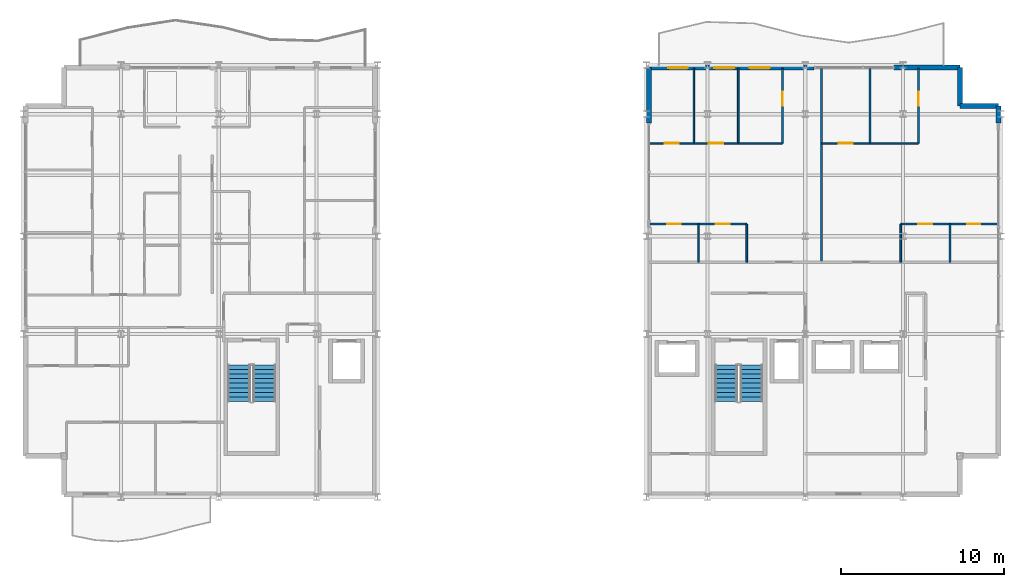
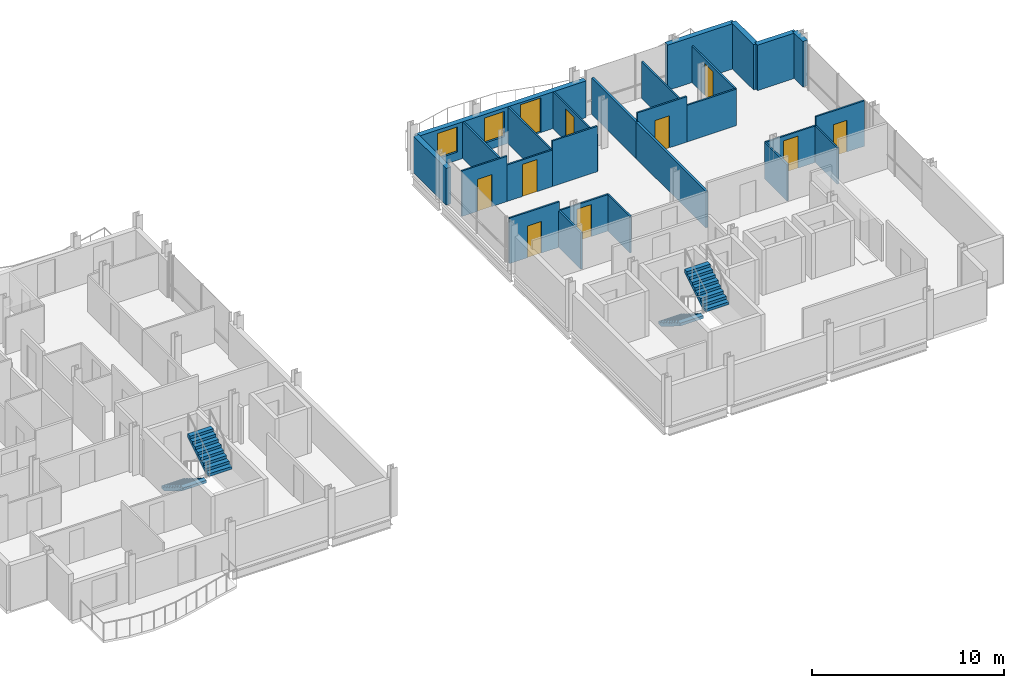
# One storey, part 25 of 27: 26 walls, 10 doors, 4 stair flights, 2 windows, 12 openings, 2 elements without a shape of their own.
"""IFC4 building model written with IfcOpenShell, lengths in metres."""

from ifc_helpers import new_model, si_unit, direction, frame, frame_2d, origin, place, context, subcontext, project, spatial, polyline, rectangle, outline, extrude, material, layer, layer_set, type_object, element, fill, aggregate, save


model = new_model("IFC4")

# Units and contexts
model_context = context("Model", 3, precision=1e-05, world=origin(), true_north=direction((0.0, 1.0)))
body_context = subcontext(model_context, "Body", "Model", "MODEL_VIEW")
ifc_project = project(units=[si_unit("LENGTHUNIT", "METRE"), si_unit("AREAUNIT", "SQUARE_METRE"), si_unit("VOLUMEUNIT", "CUBIC_METRE"), si_unit("PLANEANGLEUNIT", "RADIAN"), si_unit("MASSUNIT", "GRAM", prefix="KILO")], contexts=[model_context])

# Site, building, storey
site_placement = place(None, origin())
site = spatial("IfcSite", under=ifc_project, at=site_placement, CompositionType="ELEMENT")
building_placement = place(site_placement, origin())
building = spatial("IfcBuilding", under=site, at=building_placement, Name="Brevholm Reach", CompositionType="ELEMENT")
storey_placement = place(building_placement, frame((0.0, 0.0, 195.60009765625)))
storey = spatial("IfcBuildingStorey", under=building, at=storey_placement, Name="L59", CompositionType="ELEMENT", Elevation=195.60009765625)

# Walls
ifc_material_1 = material(Name="Concrete C40/50", Category="concrete")
ifc_layer_1 = layer(ifc_material_1, 0.300048828125)
ifc_layer_set_1 = layer_set([ifc_layer_1], Name="Concrete C40/50")
wall_type_1 = type_object("IfcWallType", Name="WAL-EXT-300", PredefinedType="STANDARD", material=ifc_layer_set_1)
for number, where, z_axis, x_axis, name in (
    (1, (59.85009765625, 24.0, 0.0), (0.0, 0.0, 1.0), (-1.0, 0.0, 0.0), "L59 Facade Wall WAL-L59-EW-CNE1"),
    (2, (57.5, 24.0, 0.0), (0.0, 0.0, 1.0), (0.0, 1.0, 0.0), "L59 Facade Wall WAL-L59-EW-CNE2"),
):
    element("IfcWall", number, at=place(storey_placement, frame(where, z_axis=z_axis, x_axis=x_axis)), inside=storey, type_object=wall_type_1, Name=name, PredefinedType="STANDARD", context=body_context, shape_type="SweptSolid", body=[
        extrude(rectangle(XDim=2.35009765625, YDim=0.300048828125, at=frame_2d((1.175048828125, 0.0))), origin(), (0.0, 0.0, 1.0), 2.889892578125),
    ])
wall_1_placement = place(storey_placement, frame((38.39990234375, 26.35009765625, 0.0), z_axis=(0.0, 0.0, 1.0), x_axis=(0.0, -1.0, 0.0)))
element("IfcWall", 3, at=wall_1_placement, inside=storey, type_object=wall_type_1, Name="L59 Facade Wall WAL-L59-VP-EN", PredefinedType="STANDARD", context=body_context, shape_type="SweptSolid", body=[
    extrude(rectangle(XDim=3.400146484375, YDim=0.300048828125, at=frame_2d((1.7001953125, 0.0))), origin(), (0.0, 0.0, 1.0), 2.331787109375),
])
wall_2_placement = place(storey_placement, frame((59.85009765625, 22.949951171875, 0.0), z_axis=(0.0, 0.0, 1.0), x_axis=(0.0, 1.0, 0.0)))
element("IfcWall", 4, at=wall_2_placement, inside=storey, type_object=wall_type_1, Name="L59 Facade Wall WAL-L59-EW-EN", PredefinedType="STANDARD", context=body_context, shape_type="SweptSolid", body=[
    extrude(rectangle(XDim=1.050048828125, YDim=0.300048828125, at=frame_2d((0.52490234375, 0.0))), origin(), (0.0, 0.0, 1.0), 2.889892578125),
])

# Wall, openings, door, windows
wall_3_placement = place(storey_placement, frame((38.39990234375, 26.35009765625, 0.0), z_axis=(0.0, 0.0, 1.0), x_axis=(1.0, 0.0, 0.0)))
wall_3 = element("IfcWall", 5, at=wall_3_placement, inside=storey, type_object=wall_type_1, Name="L59 Facade Wall WAL-L59-EW-NP1", PredefinedType="STANDARD", context=body_context, shape_type="SweptSolid", body=[
    extrude(rectangle(XDim=10.150146484375, YDim=0.300048828125, at=frame_2d((5.0751953125, 0.0))), origin(), (0.0, 0.0, 1.0), 2.331787109375),
])
opening_1_placement = place(wall_3_placement, frame((6.18408203125, 0.0, 0.0)))
opening_1 = element("IfcOpeningElement", 6, at=opening_1_placement, cuts=wall_3, Name="Opening BD-02", PredefinedType="OPENING", context=body_context, shape_type="SweptSolid", body=[
    extrude(rectangle(XDim=1.25, YDim=2.199951171875, at=frame_2d((0.625, 1.10009765625))), frame((0.0, 0.159912109375, 0.0), z_axis=(0.0, -1.0, 0.0), x_axis=(1.0, 0.0, 0.0)), (0.0, 0.0, 1.0), 0.320068359375),
])
opening_2_placement = place(wall_3_placement, frame((1.199951171875, 0.0, 0.511962890625)))
opening_2 = element("IfcOpeningElement", 7, at=opening_2_placement, cuts=wall_3, Name="Opening WN-08", PredefinedType="OPENING", context=body_context, shape_type="SweptSolid", body=[
    extrude(rectangle(XDim=1.199951171875, YDim=1.60009765625, at=frame_2d((0.60009765625, 0.800048828125))), frame((0.0, 0.159912109375, 0.0), z_axis=(0.0, -1.0, 0.0), x_axis=(1.0, 0.0, 0.0)), (0.0, 0.0, 1.0), 0.320068359375),
])
opening_3_placement = place(wall_3_placement, frame((4.02685546875, 0.0, 0.511962890625)))
opening_3 = element("IfcOpeningElement", 8, at=opening_3_placement, cuts=wall_3, Name="Opening WN-08", PredefinedType="OPENING", context=body_context, shape_type="SweptSolid", body=[
    extrude(rectangle(XDim=1.199951171875, YDim=1.60009765625, at=frame_2d((0.60009765625, 0.800048828125))), frame((0.0, 0.159912109375, 0.0), z_axis=(0.0, -1.0, 0.0), x_axis=(1.0, 0.0, 0.0)), (0.0, 0.0, 1.0), 0.320068359375),
])
ifc_material_2 = material(Name="Dark Anodised Aluminium and Triple-Glazed Glass", Category="aluminium")
door_type_1 = type_object("IfcDoorType", Name="DOR-BALC-1250", OperationType="NOTDEFINED", PredefinedType="DOOR", material=ifc_material_2)
door_1_placement = place(opening_1_placement, origin())
door_1 = element("IfcDoor", 9, at=door_1_placement, inside=storey, type_object=door_type_1, Name="L59 Exterior Door DOR-L59-BL-NE", OperationType="SINGLE_SWING_RIGHT", OverallHeight=2.199951171875, OverallWidth=1.25, PredefinedType="DOOR", context=body_context, shape_type="SweptSolid", body=[
    extrude(rectangle(XDim=1.25, YDim=2.199951171875, at=frame_2d((0.625, 1.10009765625))), frame((0.0, 0.02490234375, 0.0), z_axis=(0.0, -1.0, 0.0), x_axis=(1.0, 0.0, 0.0)), (0.0, 0.0, 1.0), 0.050048828125),
])
fill(opening_1, door_1)
ifc_material_3 = material(Name="Dark Anodised Aluminium and Solar-Control IGU Glass", Category="aluminium")
window_type = type_object("IfcWindowType", Name="WIN-RES-1200", PartitioningType="SINGLE_PANEL", PredefinedType="WINDOW", material=ifc_material_3)
window_1_placement = place(opening_2_placement, origin())
window_1 = element("IfcWindow", 10, at=window_1_placement, inside=storey, type_object=window_type, Name="L59 Window WIN-L59-EW-NP1", OverallHeight=1.60009765625, OverallWidth=1.199951171875, PartitioningType="SINGLE_PANEL", PredefinedType="WINDOW", context=body_context, shape_type="SweptSolid", body=[
    extrude(rectangle(XDim=1.199951171875, YDim=1.60009765625, at=frame_2d((0.60009765625, 0.800048828125))), frame((0.0, 0.030029296875, 0.0), z_axis=(0.0, -1.0, 0.0), x_axis=(1.0, 0.0, 0.0)), (0.0, 0.0, 1.0), 0.06005859375),
])
fill(opening_2, window_1)
window_2_placement = place(opening_3_placement, origin())
window_2 = element("IfcWindow", 11, at=window_2_placement, inside=storey, type_object=window_type, Name="L59 Bedroom Window 060", OverallHeight=1.60009765625, OverallWidth=1.199951171875, PartitioningType="SINGLE_PANEL", PredefinedType="WINDOW", context=body_context, shape_type="SweptSolid", body=[
    extrude(rectangle(XDim=1.199951171875, YDim=1.60009765625, at=frame_2d((0.60009765625, 0.800048828125))), frame((0.0, 0.030029296875, 0.0), z_axis=(0.0, -1.0, 0.0), x_axis=(1.0, 0.0, 0.0)), (0.0, 0.0, 1.0), 0.06005859375),
])
fill(opening_3, window_2)

# Walls
wall_4_placement = place(storey_placement, frame((53.449951171875, 26.35009765625, 0.0), z_axis=(0.0, 0.0, 1.0), x_axis=(1.0, 0.0, 0.0)))
element("IfcWall", 12, at=wall_4_placement, inside=storey, type_object=wall_type_1, Name="L59 Facade Wall WAL-L59-EW-NP2", PredefinedType="STANDARD", context=body_context, shape_type="SweptSolid", body=[
    extrude(rectangle(XDim=4.050048828125, YDim=0.300048828125, at=frame_2d((2.02490234375, 0.0))), origin(), (0.0, 0.0, 1.0), 2.889892578125),
])
ifc_material_4 = material(Name="Moisture-Resistant Acoustic Gypsum Stud Partition 100 mm", Category="gypsum")
ifc_layer_2 = layer(ifc_material_4, 0.10009765625)
ifc_layer_set_2 = layer_set([ifc_layer_2], Name="Moisture-Resistant Acoustic Gypsum Stud Partition 100 mm")
wall_type_2 = type_object("IfcWallType", Name="WAL-PRT-100", PredefinedType="PARTITIONING", material=ifc_layer_set_2)
wall_5_placement = place(storey_placement, frame((41.4580078125, 14.404052734375, 0.0), z_axis=(0.0, 0.0, 1.0), x_axis=(0.0, 1.0, 0.0)))
element("IfcWall", 13, at=wall_5_placement, inside=storey, type_object=wall_type_2, Name="L59 Internal Partition 066", PredefinedType="PARTITIONING", context=body_context, shape_type="SweptSolid", body=[
    extrude(rectangle(XDim=2.345947265625, YDim=0.10009765625, at=frame_2d((1.1728515625, 0.0))), origin(), (0.0, 0.0, 1.0), 2.325439453125),
])

# Wall, opening, door
wall_6_placement = place(storey_placement, frame((38.449951171875, 16.75, 0.0), z_axis=(0.0, 0.0, 1.0), x_axis=(1.0, 0.0, 0.0)))
wall_6 = element("IfcWall", 14, at=wall_6_placement, inside=storey, type_object=wall_type_2, Name="L59 Internal Partition 067", PredefinedType="PARTITIONING", context=body_context, shape_type="SweptSolid", body=[
    extrude(rectangle(XDim=3.008056640625, YDim=0.10009765625, at=frame_2d((1.50390625, 0.0))), origin(), (0.0, 0.0, 1.0), 2.889892578125),
])
opening_4_placement = place(wall_6_placement, frame((1.093994140625, 0.0, 0.0)))
opening_4 = element("IfcOpeningElement", 15, at=opening_4_placement, cuts=wall_6, Name="Opening ID-03", PredefinedType="OPENING", context=body_context, shape_type="SweptSolid", body=[
    extrude(rectangle(XDim=0.820068359375, YDim=2.02001953125, at=frame_2d((0.41015625, 1.010009765625))), frame((0.0, 0.06005859375, 0.0), z_axis=(0.0, -1.0, 0.0), x_axis=(1.0, 0.0, 0.0)), (0.0, 0.0, 1.0), 0.1201171875),
])
ifc_material_5 = material(Name="Moisture-Resistant Painted Timber Internal Bathroom Door", Category="wood")
door_type_2 = type_object("IfcDoorType", Name="DOR-BATH-820", OperationType="NOTDEFINED", PredefinedType="DOOR", material=ifc_material_5)
door_2_placement = place(opening_4_placement, origin())
door_2 = element("IfcDoor", 16, at=door_2_placement, inside=storey, type_object=door_type_2, Name="L59 Internal Door 029", OperationType="SINGLE_SWING_LEFT", OverallHeight=2.02001953125, OverallWidth=0.820068359375, PredefinedType="DOOR", context=body_context, shape_type="SweptSolid", body=[
    extrude(rectangle(XDim=0.820068359375, YDim=2.02001953125, at=frame_2d((0.41015625, 1.010009765625))), frame((0.0, 0.02490234375, 0.0), z_axis=(0.0, -1.0, 0.0), x_axis=(1.0, 0.0, 0.0)), (0.0, 0.0, 1.0), 0.050048828125),
])
fill(opening_4, door_2)

# Wall
wall_7_placement = place(storey_placement, frame((44.412109375, 14.404052734375, 0.0), z_axis=(0.0, 0.0, 1.0), x_axis=(0.0, 1.0, 0.0)))
element("IfcWall", 17, at=wall_7_placement, inside=storey, type_object=wall_type_2, Name="L59 Internal Partition 068", PredefinedType="PARTITIONING", context=body_context, shape_type="SweptSolid", body=[
    extrude(rectangle(XDim=2.345947265625, YDim=0.10009765625, at=frame_2d((1.1728515625, 0.0))), origin(), (0.0, 0.0, 1.0), 2.325439453125),
])

# Wall, opening, door
wall_8_placement = place(storey_placement, frame((41.4619140625, 16.75, 0.0), z_axis=(0.0, 0.0, 1.0), x_axis=(1.0, 0.0, 0.0)))
wall_8 = element("IfcWall", 18, at=wall_8_placement, inside=storey, type_object=wall_type_2, Name="L59 Internal Partition 069", PredefinedType="PARTITIONING", context=body_context, shape_type="SweptSolid", body=[
    extrude(rectangle(XDim=2.9501953125, YDim=0.10009765625, at=frame_2d((1.47509765625, 0.0))), origin(), (0.0, 0.0, 1.0), 2.325439453125),
])
opening_5_placement = place(wall_8_placement, frame((1.034912109375, 0.0, 0.0)))
opening_5 = element("IfcOpeningElement", 19, at=opening_5_placement, cuts=wall_8, Name="Opening ID-01", PredefinedType="OPENING", context=body_context, shape_type="SweptSolid", body=[
    extrude(rectangle(XDim=0.8798828125, YDim=2.0400390625, at=frame_2d((0.43994140625, 1.02001953125))), frame((0.0, 0.06005859375, 0.0), z_axis=(0.0, -1.0, 0.0), x_axis=(1.0, 0.0, 0.0)), (0.0, 0.0, 1.0), 0.1201171875),
])
ifc_material_6 = material(Name="Lacquered Ash Solid-Core Acoustic Internal Door", Category="timber")
door_type_3 = type_object("IfcDoorType", Name="DOR-INT-880", OperationType="NOTDEFINED", PredefinedType="DOOR", material=ifc_material_6)
door_3_placement = place(opening_5_placement, origin())
door_3 = element("IfcDoor", 20, at=door_3_placement, inside=storey, type_object=door_type_3, Name="L59 Internal Door 030", OperationType="SINGLE_SWING_RIGHT", OverallHeight=2.0400390625, OverallWidth=0.8798828125, PredefinedType="DOOR", context=body_context, shape_type="SweptSolid", body=[
    extrude(rectangle(XDim=0.8798828125, YDim=2.0400390625, at=frame_2d((0.43994140625, 1.02001953125))), frame((0.0, 0.02490234375, 0.0), z_axis=(0.0, -1.0, 0.0), x_axis=(1.0, 0.0, 0.0)), (0.0, 0.0, 1.0), 0.050048828125),
])
fill(opening_5, door_3)

# Wall
wall_9_placement = place(storey_placement, frame((41.1669921875, 21.699951171875, 0.0), z_axis=(0.0, 0.0, 1.0), x_axis=(0.0, 1.0, 0.0)))
element("IfcWall", 21, at=wall_9_placement, inside=storey, type_object=wall_type_2, Name="L59 Internal Partition 070", PredefinedType="PARTITIONING", context=body_context, shape_type="SweptSolid", body=[
    extrude(rectangle(XDim=4.60009765625, YDim=0.10009765625, at=frame_2d((2.300048828125, 0.0))), origin(), (0.0, 0.0, 1.0), 2.325439453125),
])

# Wall, opening, door
wall_10_placement = place(storey_placement, frame((38.449951171875, 21.699951171875, 0.0), z_axis=(0.0, 0.0, 1.0), x_axis=(1.0, 0.0, 0.0)))
wall_10 = element("IfcWall", 22, at=wall_10_placement, inside=storey, type_object=wall_type_2, Name="L59 Internal Partition 071", PredefinedType="PARTITIONING", context=body_context, shape_type="SweptSolid", body=[
    extrude(rectangle(XDim=2.717041015625, YDim=0.10009765625, at=frame_2d((1.3583984375, 0.0))), origin(), (0.0, 0.0, 1.0), 2.889892578125),
])
opening_6_placement = place(wall_10_placement, frame((0.91845703125, 0.0, 0.0)))
opening_6 = element("IfcOpeningElement", 23, at=opening_6_placement, cuts=wall_10, Name="Opening ID-01", PredefinedType="OPENING", context=body_context, shape_type="SweptSolid", body=[
    extrude(rectangle(XDim=0.8798828125, YDim=2.0400390625, at=frame_2d((0.43994140625, 1.02001953125))), frame((0.0, 0.06005859375, 0.0), z_axis=(0.0, -1.0, 0.0), x_axis=(1.0, 0.0, 0.0)), (0.0, 0.0, 1.0), 0.1201171875),
])
door_4_placement = place(opening_6_placement, origin())
door_4 = element("IfcDoor", 24, at=door_4_placement, inside=storey, type_object=door_type_3, Name="L59 Internal Door 031", OperationType="SINGLE_SWING_LEFT", OverallHeight=2.0400390625, OverallWidth=0.8798828125, PredefinedType="DOOR", context=body_context, shape_type="SweptSolid", body=[
    extrude(rectangle(XDim=0.8798828125, YDim=2.0400390625, at=frame_2d((0.43994140625, 1.02001953125))), frame((0.0, 0.02490234375, 0.0), z_axis=(0.0, -1.0, 0.0), x_axis=(1.0, 0.0, 0.0)), (0.0, 0.0, 1.0), 0.050048828125),
])
fill(opening_6, door_4)

# Wall
wall_11_placement = place(storey_placement, frame((43.884033203125, 21.699951171875, 0.0), z_axis=(0.0, 0.0, 1.0), x_axis=(0.0, 1.0, 0.0)))
element("IfcWall", 25, at=wall_11_placement, inside=storey, type_object=wall_type_2, Name="L59 Internal Partition 072", PredefinedType="PARTITIONING", context=body_context, shape_type="SweptSolid", body=[
    extrude(rectangle(XDim=4.60009765625, YDim=0.10009765625, at=frame_2d((2.300048828125, 0.0))), origin(), (0.0, 0.0, 1.0), 2.325439453125),
])

# Wall, opening, door
wall_12_placement = place(storey_placement, frame((41.1708984375, 21.699951171875, 0.0), z_axis=(0.0, 0.0, 1.0), x_axis=(1.0, 0.0, 0.0)))
wall_12 = element("IfcWall", 26, at=wall_12_placement, inside=storey, type_object=wall_type_2, Name="L59 Internal Partition 073", PredefinedType="PARTITIONING", context=body_context, shape_type="SweptSolid", body=[
    extrude(rectangle(XDim=2.713134765625, YDim=0.10009765625, at=frame_2d((1.3564453125, 0.0))), origin(), (0.0, 0.0, 1.0), 2.325439453125),
])
opening_7_placement = place(wall_12_placement, frame((0.91650390625, 0.0, 0.0)))
opening_7 = element("IfcOpeningElement", 27, at=opening_7_placement, cuts=wall_12, Name="Opening ID-01", PredefinedType="OPENING", context=body_context, shape_type="SweptSolid", body=[
    extrude(rectangle(XDim=0.8798828125, YDim=2.0400390625, at=frame_2d((0.43994140625, 1.02001953125))), frame((0.0, 0.06005859375, 0.0), z_axis=(0.0, -1.0, 0.0), x_axis=(1.0, 0.0, 0.0)), (0.0, 0.0, 1.0), 0.1201171875),
])
door_5_placement = place(opening_7_placement, origin())
door_5 = element("IfcDoor", 28, at=door_5_placement, inside=storey, type_object=door_type_3, Name="L59 Internal Door 032", OperationType="SINGLE_SWING_RIGHT", OverallHeight=2.0400390625, OverallWidth=0.8798828125, PredefinedType="DOOR", context=body_context, shape_type="SweptSolid", body=[
    extrude(rectangle(XDim=0.8798828125, YDim=2.0400390625, at=frame_2d((0.43994140625, 1.02001953125))), frame((0.0, 0.02490234375, 0.0), z_axis=(0.0, -1.0, 0.0), x_axis=(1.0, 0.0, 0.0)), (0.0, 0.0, 1.0), 0.050048828125),
])
fill(opening_7, door_5)

# Wall
wall_13_placement = place(storey_placement, frame((43.887939453125, 21.699951171875, 0.0), z_axis=(0.0, 0.0, 1.0), x_axis=(1.0, 0.0, 0.0)))
element("IfcWall", 29, at=wall_13_placement, inside=storey, type_object=wall_type_2, Name="L59 Internal Partition 074", PredefinedType="PARTITIONING", context=body_context, shape_type="SweptSolid", body=[
    extrude(rectangle(XDim=2.713134765625, YDim=0.10009765625, at=frame_2d((1.3564453125, 0.0))), origin(), (0.0, 0.0, 1.0), 2.889892578125),
])

# Wall, opening, door
wall_14_placement = place(storey_placement, frame((46.60107421875, 21.699951171875, 0.0), z_axis=(0.0, 0.0, 1.0), x_axis=(0.0, 1.0, 0.0)))
wall_14 = element("IfcWall", 30, at=wall_14_placement, inside=storey, type_object=wall_type_2, Name="L59 Internal Partition 075", PredefinedType="PARTITIONING", context=body_context, shape_type="SweptSolid", body=[
    extrude(rectangle(XDim=4.60009765625, YDim=0.10009765625, at=frame_2d((2.300048828125, 0.0))), origin(), (0.0, 0.0, 1.0), 2.325439453125),
])
opening_8_placement = place(wall_14_placement, frame((2.300048828125, 0.0, 0.0)))
opening_8 = element("IfcOpeningElement", 31, at=opening_8_placement, cuts=wall_14, Name="Opening ID-01", PredefinedType="OPENING", context=body_context, shape_type="SweptSolid", body=[
    extrude(rectangle(XDim=0.8798828125, YDim=2.0400390625, at=frame_2d((0.43994140625, 1.02001953125))), frame((0.0, 0.06005859375, 0.0), z_axis=(0.0, -1.0, 0.0), x_axis=(1.0, 0.0, 0.0)), (0.0, 0.0, 1.0), 0.1201171875),
])
door_6_placement = place(opening_8_placement, origin())
door_6 = element("IfcDoor", 32, at=door_6_placement, inside=storey, type_object=door_type_3, Name="L59 Internal Door 033", OperationType="SINGLE_SWING_LEFT", OverallHeight=2.0400390625, OverallWidth=0.8798828125, PredefinedType="DOOR", context=body_context, shape_type="SweptSolid", body=[
    extrude(rectangle(XDim=0.8798828125, YDim=2.0400390625, at=frame_2d((0.43994140625, 1.02001953125))), frame((0.0, 0.02490234375, 0.0), z_axis=(0.0, -1.0, 0.0), x_axis=(1.0, 0.0, 0.0)), (0.0, 0.0, 1.0), 0.050048828125),
])
fill(opening_8, door_6)

# Wall
wall_15_placement = place(storey_placement, frame((56.884033203125, 14.404052734375, 0.0), z_axis=(0.0, 0.0, 1.0), x_axis=(0.0, 1.0, 0.0)))
element("IfcWall", 33, at=wall_15_placement, inside=storey, type_object=wall_type_2, Name="L59 Internal Partition 078", PredefinedType="PARTITIONING", context=body_context, shape_type="SweptSolid", body=[
    extrude(rectangle(XDim=2.345947265625, YDim=0.10009765625, at=frame_2d((1.1728515625, 0.0))), origin(), (0.0, 0.0, 1.0), 2.325439453125),
])

# Wall, opening, door
wall_16_placement = place(storey_placement, frame((56.884033203125, 16.75, 0.0), z_axis=(0.0, 0.0, 1.0), x_axis=(1.0, 0.0, 0.0)))
wall_16 = element("IfcWall", 34, at=wall_16_placement, inside=storey, type_object=wall_type_2, Name="L59 Internal Partition 079", PredefinedType="PARTITIONING", context=body_context, shape_type="SweptSolid", body=[
    extrude(rectangle(XDim=2.916015625, YDim=0.10009765625, at=frame_2d((1.4580078125, 0.0))), origin(), (0.0, 0.0, 1.0), 2.889892578125),
])
opening_9_placement = place(wall_16_placement, frame((1.048095703125, 0.0, 0.0)))
opening_9 = element("IfcOpeningElement", 35, at=opening_9_placement, cuts=wall_16, Name="Opening ID-03", PredefinedType="OPENING", context=body_context, shape_type="SweptSolid", body=[
    extrude(rectangle(XDim=0.820068359375, YDim=2.02001953125, at=frame_2d((0.41015625, 1.010009765625))), frame((0.0, 0.06005859375, 0.0), z_axis=(0.0, -1.0, 0.0), x_axis=(1.0, 0.0, 0.0)), (0.0, 0.0, 1.0), 0.1201171875),
])
door_7_placement = place(opening_9_placement, origin())
door_7 = element("IfcDoor", 36, at=door_7_placement, inside=storey, type_object=door_type_2, Name="L59 Internal Door 034", OperationType="SINGLE_SWING_RIGHT", OverallHeight=2.02001953125, OverallWidth=0.820068359375, PredefinedType="DOOR", context=body_context, shape_type="SweptSolid", body=[
    extrude(rectangle(XDim=0.820068359375, YDim=2.02001953125, at=frame_2d((0.41015625, 1.010009765625))), frame((0.0, 0.02490234375, 0.0), z_axis=(0.0, -1.0, 0.0), x_axis=(1.0, 0.0, 0.0)), (0.0, 0.0, 1.0), 0.050048828125),
])
fill(opening_9, door_7)

wall_17_placement = place(storey_placement, frame((53.860107421875, 16.75, 0.0), z_axis=(0.0, 0.0, 1.0), x_axis=(1.0, 0.0, 0.0)))
wall_17 = element("IfcWall", 37, at=wall_17_placement, inside=storey, type_object=wall_type_2, Name="L59 Internal Partition 080", PredefinedType="PARTITIONING", context=body_context, shape_type="SweptSolid", body=[
    extrude(rectangle(XDim=3.019775390625, YDim=0.10009765625, at=frame_2d((1.509765625, 0.0))), origin(), (0.0, 0.0, 1.0), 2.325439453125),
])
opening_10_placement = place(wall_17_placement, frame((1.070068359375, 0.0, 0.0)))
opening_10 = element("IfcOpeningElement", 38, at=opening_10_placement, cuts=wall_17, Name="Opening ID-01", PredefinedType="OPENING", context=body_context, shape_type="SweptSolid", body=[
    extrude(rectangle(XDim=0.8798828125, YDim=2.0400390625, at=frame_2d((0.43994140625, 1.02001953125))), frame((0.0, 0.06005859375, 0.0), z_axis=(0.0, -1.0, 0.0), x_axis=(1.0, 0.0, 0.0)), (0.0, 0.0, 1.0), 0.1201171875),
])
door_8_placement = place(opening_10_placement, origin())
door_8 = element("IfcDoor", 39, at=door_8_placement, inside=storey, type_object=door_type_3, Name="L59 Internal Door 035", OperationType="SINGLE_SWING_LEFT", OverallHeight=2.0400390625, OverallWidth=0.8798828125, PredefinedType="DOOR", context=body_context, shape_type="SweptSolid", body=[
    extrude(rectangle(XDim=0.8798828125, YDim=2.0400390625, at=frame_2d((0.43994140625, 1.02001953125))), frame((0.0, 0.02490234375, 0.0), z_axis=(0.0, -1.0, 0.0), x_axis=(1.0, 0.0, 0.0)), (0.0, 0.0, 1.0), 0.050048828125),
])
fill(opening_10, door_8)

# Walls
wall_18_placement = place(storey_placement, frame((53.860107421875, 14.404052734375, 0.0), z_axis=(0.0, 0.0, 1.0), x_axis=(0.0, 1.0, 0.0)))
element("IfcWall", 40, at=wall_18_placement, inside=storey, type_object=wall_type_2, Name="L59 Internal Partition 081", PredefinedType="PARTITIONING", context=body_context, shape_type="SweptSolid", body=[
    extrude(rectangle(XDim=2.345947265625, YDim=0.10009765625, at=frame_2d((1.1728515625, 0.0))), origin(), (0.0, 0.0, 1.0), 2.325439453125),
])
wall_19_placement = place(storey_placement, frame((51.97509765625, 21.699951171875, 0.0), z_axis=(0.0, 0.0, 1.0), x_axis=(0.0, 1.0, 0.0)))
element("IfcWall", 41, at=wall_19_placement, inside=storey, type_object=wall_type_2, Name="L59 Internal Partition 082", PredefinedType="PARTITIONING", context=body_context, shape_type="SweptSolid", body=[
    extrude(rectangle(XDim=4.60009765625, YDim=0.10009765625, at=frame_2d((2.300048828125, 0.0))), origin(), (0.0, 0.0, 1.0), 2.325439453125),
])

# Wall, opening, door
wall_20_placement = place(storey_placement, frame((49.00390625, 21.699951171875, 0.0), z_axis=(0.0, 0.0, 1.0), x_axis=(1.0, 0.0, 0.0)))
wall_20 = element("IfcWall", 42, at=wall_20_placement, inside=storey, type_object=wall_type_2, Name="L59 Internal Partition 083", PredefinedType="PARTITIONING", context=body_context, shape_type="SweptSolid", body=[
    extrude(rectangle(XDim=2.97119140625, YDim=0.10009765625, at=frame_2d((1.485595703125, 0.0))), origin(), (0.0, 0.0, 1.0), 2.889892578125),
])
opening_11_placement = place(wall_20_placement, frame((1.04541015625, 0.0, 0.0)))
opening_11 = element("IfcOpeningElement", 43, at=opening_11_placement, cuts=wall_20, Name="Opening ID-01", PredefinedType="OPENING", context=body_context, shape_type="SweptSolid", body=[
    extrude(rectangle(XDim=0.8798828125, YDim=2.0400390625, at=frame_2d((0.43994140625, 1.02001953125))), frame((0.0, 0.06005859375, 0.0), z_axis=(0.0, -1.0, 0.0), x_axis=(1.0, 0.0, 0.0)), (0.0, 0.0, 1.0), 0.1201171875),
])
door_9_placement = place(opening_11_placement, origin())
door_9 = element("IfcDoor", 44, at=door_9_placement, inside=storey, type_object=door_type_3, Name="L59 Internal Door 036", OperationType="SINGLE_SWING_RIGHT", OverallHeight=2.0400390625, OverallWidth=0.8798828125, PredefinedType="DOOR", context=body_context, shape_type="SweptSolid", body=[
    extrude(rectangle(XDim=0.8798828125, YDim=2.0400390625, at=frame_2d((0.43994140625, 1.02001953125))), frame((0.0, 0.02490234375, 0.0), z_axis=(0.0, -1.0, 0.0), x_axis=(1.0, 0.0, 0.0)), (0.0, 0.0, 1.0), 0.050048828125),
])
fill(opening_11, door_9)

# Wall
wall_21_placement = place(storey_placement, frame((51.97900390625, 21.699951171875, 0.0), z_axis=(0.0, 0.0, 1.0), x_axis=(1.0, 0.0, 0.0)))
element("IfcWall", 45, at=wall_21_placement, inside=storey, type_object=wall_type_2, Name="L59 Internal Partition 084", PredefinedType="PARTITIONING", context=body_context, shape_type="SweptSolid", body=[
    extrude(rectangle(XDim=2.970947265625, YDim=0.10009765625, at=frame_2d((1.4853515625, 0.0))), origin(), (0.0, 0.0, 1.0), 2.325439453125),
])

# Wall, opening, door
wall_22_placement = place(storey_placement, frame((54.949951171875, 21.699951171875, 0.0), z_axis=(0.0, 0.0, 1.0), x_axis=(0.0, 1.0, 0.0)))
wall_22 = element("IfcWall", 46, at=wall_22_placement, inside=storey, type_object=wall_type_2, Name="L59 Internal Partition 085", PredefinedType="PARTITIONING", context=body_context, shape_type="SweptSolid", body=[
    extrude(rectangle(XDim=4.60009765625, YDim=0.10009765625, at=frame_2d((2.300048828125, 0.0))), origin(), (0.0, 0.0, 1.0), 2.325439453125),
])
opening_12_placement = place(wall_22_placement, frame((2.300048828125, 0.0, 0.0)))
opening_12 = element("IfcOpeningElement", 47, at=opening_12_placement, cuts=wall_22, Name="Opening ID-01", PredefinedType="OPENING", context=body_context, shape_type="SweptSolid", body=[
    extrude(rectangle(XDim=0.8798828125, YDim=2.0400390625, at=frame_2d((0.43994140625, 1.02001953125))), frame((0.0, 0.06005859375, 0.0), z_axis=(0.0, -1.0, 0.0), x_axis=(1.0, 0.0, 0.0)), (0.0, 0.0, 1.0), 0.1201171875),
])
door_10_placement = place(opening_12_placement, origin())
door_10 = element("IfcDoor", 48, at=door_10_placement, inside=storey, type_object=door_type_3, Name="L59 Internal Door 037", OperationType="SINGLE_SWING_LEFT", OverallHeight=2.0400390625, OverallWidth=0.8798828125, PredefinedType="DOOR", context=body_context, shape_type="SweptSolid", body=[
    extrude(rectangle(XDim=0.8798828125, YDim=2.0400390625, at=frame_2d((0.43994140625, 1.02001953125))), frame((0.0, 0.02490234375, 0.0), z_axis=(0.0, -1.0, 0.0), x_axis=(1.0, 0.0, 0.0)), (0.0, 0.0, 1.0), 0.050048828125),
])
fill(opening_12, door_10)

# Walls
ifc_material_7 = material(Name="Twin-Stud Acoustic Fire-Rated Gypsum Partition 140 mm", Category="gypsum")
ifc_layer_3 = layer(ifc_material_7, 0.139892578125)
ifc_layer_set_3 = layer_set([ifc_layer_3], Name="Twin-Stud Acoustic Fire-Rated Gypsum Partition 140 mm")
wall_type_3 = type_object("IfcWallType", Name="WAL-PRT-140", PredefinedType="PARTITIONING", material=ifc_layer_set_3)
wall_23_placement = place(storey_placement, frame((49.0, 21.688720703125, 0.0), z_axis=(0.0, 0.0, 1.0), x_axis=(0.0, 1.0, 0.0)))
element("IfcWall", 49, at=wall_23_placement, inside=storey, type_object=wall_type_3, Name="L59 Internal Partition 076", PredefinedType="PARTITIONING", context=body_context, shape_type="SweptSolid", body=[
    extrude(rectangle(XDim=4.611328125, YDim=0.139892578125, at=frame_2d((2.3056640625, 0.0))), origin(), (0.0, 0.0, 1.0), 2.325439453125),
])
wall_24_placement = place(storey_placement, frame((49.0, 14.404052734375, 0.0), z_axis=(0.0, 0.0, 1.0), x_axis=(0.0, 1.0, 0.0)))
element("IfcWall", 50, at=wall_24_placement, inside=storey, type_object=wall_type_3, Name="L59 Internal Partition 077", PredefinedType="PARTITIONING", context=body_context, shape_type="SweptSolid", body=[
    extrude(rectangle(XDim=7.30322265625, YDim=0.139892578125, at=frame_2d((3.651611328125, 0.0))), origin(), (0.0, 0.0, 1.0), 2.325439453125),
])

# Stair, stair flights
ifc_material_8 = material(Name="Precast Concrete C40/50", Category="concrete")
stair_type = type_object("IfcStairType", Name="STR-ESC-1400", PredefinedType="DOUBLE_RETURN_STAIR", material=ifc_material_8)
stair_1_placement = place(storey_placement, origin())
stair_1 = element("IfcStair", 51, at=stair_1_placement, inside=storey, type_object=stair_type, Name="L59 ST-1", PredefinedType="DOUBLE_RETURN_STAIR")
ifc_material_9 = material(Name="Precast Concrete C40/50", Category="concrete")
ifc_layer_4 = layer(ifc_material_9, 0.18505859375)
ifc_layer_set_4 = layer_set([ifc_layer_4], Name="Precast Concrete C40/50")
stair_flight_type = type_object("IfcStairFlightType", Name="STF-PRC-185", PredefinedType="STRAIGHT", material=ifc_layer_set_4)
stair_flight_1_placement = place(storey_placement, frame((13.25, 8.10009765625, 0.0), z_axis=(0.0, 0.0, 1.0), x_axis=(0.0, -1.0, 0.0)))
stair_flight_1 = element("IfcStairFlight", 52, at=stair_flight_1_placement, type_object=stair_flight_type, Name="ST-1 flight 1", NumberOfRisers=9, NumberOfTreads=8, PredefinedType="STRAIGHT", RiserHeight=0.172222222, TreadLength=0.28, context=body_context, shape_type="SweptSolid", body=[
    extrude(outline(polyline([(0.0, 0.0), (0.0, 0.172119140625), (0.280029296875, 0.172119140625), (0.280029296875, 0.344482421875), (0.56005859375, 0.344482421875), (0.56005859375, 0.5166015625), (0.840087890625, 0.5166015625), (0.840087890625, 0.68896484375), (1.1201171875, 0.68896484375), (1.1201171875, 0.861083984375), (1.39990234375, 0.861083984375), (1.39990234375, 1.033447265625), (1.679931640625, 1.033447265625), (1.679931640625, 1.20556640625), (1.9599609375, 1.20556640625), (1.9599609375, 1.377685546875), (2.239990234375, 1.377685546875), (2.239990234375, 1.550048828125), (2.239990234375, 1.201904296875), (0.2861328125, 0.0), (0.0, 0.0)])), frame((0.0, 0.699951171875, 0.0), z_axis=(0.0, -1.0, 0.0), x_axis=(1.0, 0.0, 0.0)), (0.0, 0.0, 1.0), 1.39990234375),
])
stair_flight_2_placement = place(storey_placement, frame((14.800048828125, 5.860107421875, 1.5498046875), z_axis=(0.0, 0.0, 1.0), x_axis=(0.0, 1.0, 0.0)))
stair_flight_2 = element("IfcStairFlight", 53, at=stair_flight_2_placement, type_object=stair_flight_type, Name="ST-1 flight 2", NumberOfRisers=9, NumberOfTreads=8, PredefinedType="STRAIGHT", RiserHeight=0.172222222, TreadLength=0.28, context=body_context, shape_type="SweptSolid", body=[
    extrude(outline(polyline([(0.0, 0.0), (0.0, 0.172119140625), (0.280029296875, 0.172119140625), (0.280029296875, 0.344482421875), (0.56005859375, 0.344482421875), (0.56005859375, 0.5166015625), (0.840087890625, 0.5166015625), (0.840087890625, 0.68896484375), (1.1201171875, 0.68896484375), (1.1201171875, 0.861083984375), (1.39990234375, 0.861083984375), (1.39990234375, 1.033447265625), (1.679931640625, 1.033447265625), (1.679931640625, 1.20556640625), (1.9599609375, 1.20556640625), (1.9599609375, 1.377685546875), (2.239990234375, 1.377685546875), (2.239990234375, 1.550048828125), (2.239990234375, 1.201904296875), (0.2861328125, 0.0), (0.0, 0.0)])), frame((0.0, 0.699951171875, 0.0), z_axis=(0.0, -1.0, 0.0), x_axis=(1.0, 0.0, 0.0)), (0.0, 0.0, 1.0), 1.39990234375),
])
aggregate(stair_1, [stair_flight_1, stair_flight_2])

stair_2_placement = place(storey_placement, origin())
stair_2 = element("IfcStair", 54, at=stair_2_placement, inside=storey, type_object=stair_type, Name="L59 ST-2", PredefinedType="DOUBLE_RETURN_STAIR")
stair_flight_3_placement = place(storey_placement, frame((43.14990234375, 8.10009765625, 0.0), z_axis=(0.0, 0.0, 1.0), x_axis=(0.0, -1.0, 0.0)))
stair_flight_3 = element("IfcStairFlight", 55, at=stair_flight_3_placement, type_object=stair_flight_type, Name="ST-2 flight 1", NumberOfRisers=9, NumberOfTreads=8, PredefinedType="STRAIGHT", RiserHeight=0.172222222, TreadLength=0.28, context=body_context, shape_type="SweptSolid", body=[
    extrude(outline(polyline([(0.0, 0.0), (0.0, 0.172119140625), (0.280029296875, 0.172119140625), (0.280029296875, 0.344482421875), (0.56005859375, 0.344482421875), (0.56005859375, 0.5166015625), (0.840087890625, 0.5166015625), (0.840087890625, 0.68896484375), (1.1201171875, 0.68896484375), (1.1201171875, 0.861083984375), (1.39990234375, 0.861083984375), (1.39990234375, 1.033447265625), (1.679931640625, 1.033447265625), (1.679931640625, 1.20556640625), (1.9599609375, 1.20556640625), (1.9599609375, 1.377685546875), (2.239990234375, 1.377685546875), (2.239990234375, 1.550048828125), (2.239990234375, 1.201904296875), (0.2861328125, 0.0), (0.0, 0.0)])), frame((0.0, 0.699951171875, 0.0), z_axis=(0.0, -1.0, 0.0), x_axis=(1.0, 0.0, 0.0)), (0.0, 0.0, 1.0), 1.39990234375),
])
stair_flight_4_placement = place(storey_placement, frame((44.699951171875, 5.860107421875, 1.5498046875), z_axis=(0.0, 0.0, 1.0), x_axis=(0.0, 1.0, 0.0)))
stair_flight_4 = element("IfcStairFlight", 56, at=stair_flight_4_placement, type_object=stair_flight_type, Name="ST-2 flight 2", NumberOfRisers=9, NumberOfTreads=8, PredefinedType="STRAIGHT", RiserHeight=0.172222222, TreadLength=0.28, context=body_context, shape_type="SweptSolid", body=[
    extrude(outline(polyline([(0.0, 0.0), (0.0, 0.172119140625), (0.280029296875, 0.172119140625), (0.280029296875, 0.344482421875), (0.56005859375, 0.344482421875), (0.56005859375, 0.5166015625), (0.840087890625, 0.5166015625), (0.840087890625, 0.68896484375), (1.1201171875, 0.68896484375), (1.1201171875, 0.861083984375), (1.39990234375, 0.861083984375), (1.39990234375, 1.033447265625), (1.679931640625, 1.033447265625), (1.679931640625, 1.20556640625), (1.9599609375, 1.20556640625), (1.9599609375, 1.377685546875), (2.239990234375, 1.377685546875), (2.239990234375, 1.550048828125), (2.239990234375, 1.201904296875), (0.2861328125, 0.0), (0.0, 0.0)])), frame((0.0, 0.699951171875, 0.0), z_axis=(0.0, -1.0, 0.0), x_axis=(1.0, 0.0, 0.0)), (0.0, 0.0, 1.0), 1.39990234375),
])
aggregate(stair_2, [stair_flight_3, stair_flight_4])

save(model, "model.ifc")
